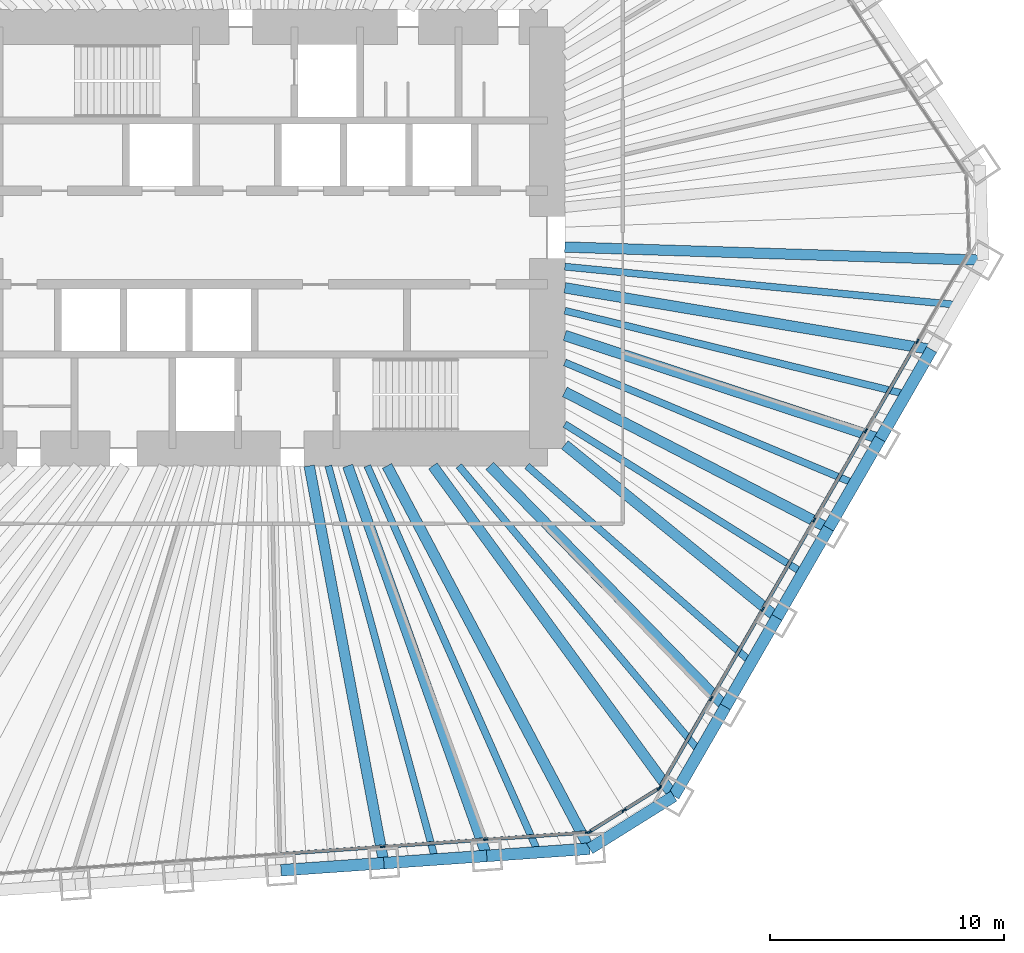
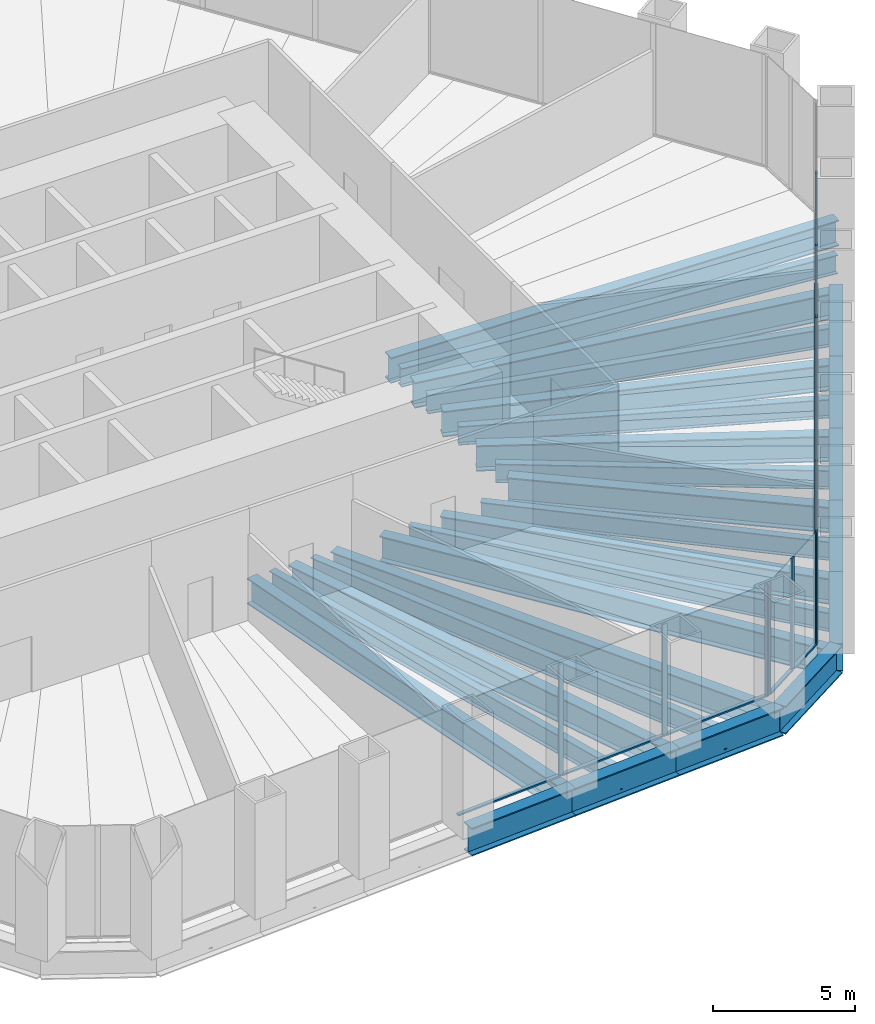
# One storey, part 4 of 13: 27 beams, 22 members, 3 elements without a shape of their own.
"""IFC4 building model written with IfcOpenShell, lengths in metres."""

from ifc_helpers import new_model, si_unit, direction, frame, origin, origin_2d, place, context, subcontext, project, spatial, rectangle, i_section, extrude, material, material_profile, profile_set, type_object, element, aggregate, save


model = new_model("IFC4")

# Units and contexts
model_context = context("Model", 3, precision=1e-05, world=origin(), true_north=direction((0.0, 1.0)))
body_context = subcontext(model_context, "Body", "Model", "MODEL_VIEW")
ifc_project = project(units=[si_unit("LENGTHUNIT", "METRE"), si_unit("AREAUNIT", "SQUARE_METRE"), si_unit("VOLUMEUNIT", "CUBIC_METRE"), si_unit("PLANEANGLEUNIT", "RADIAN"), si_unit("MASSUNIT", "GRAM", prefix="KILO")], contexts=[model_context])

# Site, building, storey
site_placement = place(None, origin())
site = spatial("IfcSite", under=ifc_project, at=site_placement, CompositionType="ELEMENT")
building_placement = place(site_placement, origin())
building = spatial("IfcBuilding", under=site, at=building_placement, Name="Qingtian Harvest Tower", CompositionType="ELEMENT")
storey_placement = place(building_placement, frame((0.0, 0.0, 32.0)))
storey = spatial("IfcBuildingStorey", under=building, at=storey_placement, Name="L06", CompositionType="ELEMENT", Elevation=32.0)

# Beams
ifc_material_1 = material(Name="Steel SM570MC", Category="steel")
ifc_material_profile_1 = material_profile(ifc_material_1, i_section(OverallWidth=0.449951171875, OverallDepth=1.10009765625, WebThickness=0.02197265625, FlangeThickness=0.044921875, at=origin_2d()), Name="H1100x450x22x45")
ifc_profile_set_1 = profile_set([ifc_material_profile_1], Name="Steel SM570MC")
beam_type_1 = type_object("IfcBeamType", Name="Corner floor beam FB8 H1100x450x22x45", PredefinedType="BEAM", material=ifc_profile_set_1)
beam_1_placement = place(storey_placement, frame((30.618408203125, -0.96728515625, -0.75), z_axis=(-0.999501426546, 0.031573696842, 0.0), x_axis=(-0.031573696842, -0.999501426546, 0.0)))
element("IfcBeam", 1, at=beam_1_placement, inside=storey, type_object=beam_type_1, Name="Floor beam FB8 SE0", PredefinedType="BEAM", context=body_context, shape_type="SweptSolid", body=[
    extrude(i_section(OverallWidth=0.449951171875, OverallDepth=1.10009765625, WebThickness=0.02197265625, FlangeThickness=0.044921875, at=origin_2d()), origin(), (0.0, 0.0, 1.0), 17.87744140625),
])
beam_2_placement = place(storey_placement, frame((17.404541015625, -23.854248046875, -0.75), z_axis=(-0.58941234871, 0.807832336062, 0.0), x_axis=(-0.807832336062, -0.58941234871, 0.0)))
element("IfcBeam", 2, at=beam_2_placement, inside=storey, type_object=beam_type_1, Name="Floor beam FB8 SE6", PredefinedType="BEAM", context=body_context, shape_type="SweptSolid", body=[
    extrude(i_section(OverallWidth=0.449951171875, OverallDepth=1.10009765625, WebThickness=0.02197265625, FlangeThickness=0.044921875, at=origin_2d()), origin(), (0.0, 0.0, 1.0), 17.45947265625),
])
beam_3_placement = place(storey_placement, frame((13.810546875, -26.10009765625, -0.75), z_axis=(-0.467705182679, 0.883884529843, 0.0), x_axis=(-0.883884529843, -0.467705182679, 0.0)))
element("IfcBeam", 3, at=beam_3_placement, inside=storey, type_object=beam_type_1, Name="Floor beam FB8 S0", PredefinedType="BEAM", context=body_context, shape_type="SweptSolid", body=[
    extrude(i_section(OverallWidth=0.449951171875, OverallDepth=1.10009765625, WebThickness=0.02197265625, FlangeThickness=0.044921875, at=origin_2d()), origin(), (0.0, 0.0, 1.0), 18.498046875),
])
ifc_material_2 = material(Name="Steel SM570MC", Category="steel")
ifc_material_profile_2 = material_profile(ifc_material_2, i_section(OverallWidth=0.449951171875, OverallDepth=1.10009765625, WebThickness=0.02197265625, FlangeThickness=0.044921875, at=origin_2d()), Name="H1100x450x22x45")
ifc_profile_set_2 = profile_set([ifc_material_profile_2], Name="Steel SM570MC")
beam_type_2 = type_object("IfcBeamType", Name="Floor beam FB1 H1100x450x22x45", PredefinedType="BEAM", material=ifc_profile_set_2)
beam_4_placement = place(storey_placement, frame((28.416015625, -4.78173828125, -0.75), z_axis=(-0.986135195489, 0.16594389479, 0.0), x_axis=(-0.16594389479, -0.986135195489, 0.0)))
element("IfcBeam", 4, at=beam_4_placement, inside=storey, type_object=beam_type_2, Name="Floor beam FB1 SE1", PredefinedType="BEAM", context=body_context, shape_type="SweptSolid", body=[
    extrude(i_section(OverallWidth=0.449951171875, OverallDepth=1.10009765625, WebThickness=0.02197265625, FlangeThickness=0.044921875, at=origin_2d()), origin(), (0.0, 0.0, 1.0), 15.88623046875),
])
beam_5_placement = place(storey_placement, frame((26.2138671875, -8.596435546875, -0.75), z_axis=(-0.950210724421, 0.311608053803, 0.0), x_axis=(-0.311608053803, -0.950210724421, 0.0)))
element("IfcBeam", 5, at=beam_5_placement, inside=storey, type_object=beam_type_2, Name="Floor beam FB1 SE2", PredefinedType="BEAM", context=body_context, shape_type="SweptSolid", body=[
    extrude(i_section(OverallWidth=0.449951171875, OverallDepth=1.10009765625, WebThickness=0.02197265625, FlangeThickness=0.044921875, at=origin_2d()), origin(), (0.0, 0.0, 1.0), 14.16943359375),
])
beam_6_placement = place(storey_placement, frame((24.011474609375, -12.410888671875, -0.75), z_axis=(-0.888349581519, 0.45916774823, 0.0), x_axis=(-0.45916774823, -0.888349581519, 0.0)))
element("IfcBeam", 6, at=beam_6_placement, inside=storey, type_object=beam_type_2, Name="Floor beam FB1 SE3", PredefinedType="BEAM", context=body_context, shape_type="SweptSolid", body=[
    extrude(i_section(OverallWidth=0.449951171875, OverallDepth=1.10009765625, WebThickness=0.02197265625, FlangeThickness=0.044921875, at=origin_2d()), origin(), (0.0, 0.0, 1.0), 12.6767578125),
])
beam_7_placement = place(storey_placement, frame((21.809326171875, -16.225341796875, -0.75), z_axis=(-0.775504415669, 0.631342142802, 0.0), x_axis=(-0.631342142802, -0.775504415669, 0.0)))
element("IfcBeam", 7, at=beam_7_placement, inside=storey, type_object=beam_type_2, Name="Floor beam FB1 SE4", PredefinedType="BEAM", context=body_context, shape_type="SweptSolid", body=[
    extrude(i_section(OverallWidth=0.449951171875, OverallDepth=1.10009765625, WebThickness=0.02197265625, FlangeThickness=0.044921875, at=origin_2d()), origin(), (0.0, 0.0, 1.0), 11.681884765625),
])
beam_8_placement = place(storey_placement, frame((19.60693359375, -20.039794921875, -0.75), z_axis=(-0.699348221539, 0.714781130858, 0.0), x_axis=(-0.714781130858, -0.699348221539, 0.0)))
element("IfcBeam", 8, at=beam_8_placement, inside=storey, type_object=beam_type_2, Name="Floor beam FB1 SE5", PredefinedType="BEAM", context=body_context, shape_type="SweptSolid", body=[
    extrude(i_section(OverallWidth=0.449951171875, OverallDepth=1.10009765625, WebThickness=0.02197265625, FlangeThickness=0.044921875, at=origin_2d()), origin(), (0.0, 0.0, 1.0), 14.395751953125),
])
beam_9_placement = place(storey_placement, frame((9.41650390625, -26.407470703125, -0.75), z_axis=(-0.33586498155, 0.941910141239, 0.0), x_axis=(-0.941910141239, -0.33586498155, 0.0)))
element("IfcBeam", 9, at=beam_9_placement, inside=storey, type_object=beam_type_2, Name="Floor beam FB1 S1", PredefinedType="BEAM", context=body_context, shape_type="SweptSolid", body=[
    extrude(i_section(OverallWidth=0.449951171875, OverallDepth=1.10009765625, WebThickness=0.02197265625, FlangeThickness=0.044921875, at=origin_2d()), origin(), (0.0, 0.0, 1.0), 17.684814453125),
])
beam_10_placement = place(storey_placement, frame((5.022705078125, -26.714599609375, -0.75), z_axis=(-0.184782942099, 0.98277935688, 0.0), x_axis=(-0.98277935688, -0.184782942099, 0.0)))
element("IfcBeam", 10, at=beam_10_placement, inside=storey, type_object=beam_type_2, Name="Floor beam FB1 S2", PredefinedType="BEAM", context=body_context, shape_type="SweptSolid", body=[
    extrude(i_section(OverallWidth=0.449951171875, OverallDepth=1.10009765625, WebThickness=0.02197265625, FlangeThickness=0.044921875, at=origin_2d()), origin(), (0.0, 0.0, 1.0), 17.261962890625),
])
ifc_material_3 = material(Name="Steel SN490B", Category="steel")
ifc_material_profile_3 = material_profile(ifc_material_3, i_section(OverallWidth=0.300048828125, OverallDepth=0.800048828125, WebThickness=0.013916015625, FlangeThickness=0.02587890625, at=origin_2d()), Name="H800x300x14x26")
ifc_profile_set_3 = profile_set([ifc_material_profile_3], Name="Steel SN490B")
beam_type_3 = type_object("IfcBeamType", Name="Floor joist J1 H800x300x14x26", PredefinedType="JOIST", material=ifc_profile_set_3)
beam_11_placement = place(storey_placement, frame((29.517333984375, -2.87451171875, -0.60009765625), z_axis=(-0.995291970786, 0.096922097011, 0.0), x_axis=(-0.096922097011, -0.995291970786, 0.0)))
element("IfcBeam", 11, at=beam_11_placement, inside=storey, type_object=beam_type_3, Name="Floor joist J1 SE0", PredefinedType="JOIST", context=body_context, shape_type="SweptSolid", body=[
    extrude(i_section(OverallWidth=0.300048828125, OverallDepth=0.800048828125, WebThickness=0.013916015625, FlangeThickness=0.02587890625, at=origin_2d()), origin(), (0.0, 0.0, 1.0), 16.8466796875),
])
beam_12_placement = place(storey_placement, frame((27.31494140625, -6.68896484375, -0.60009765625), z_axis=(-0.971301533706, 0.237851488583, 0.0), x_axis=(-0.237851488583, -0.971301533706, 0.0)))
element("IfcBeam", 12, at=beam_12_placement, inside=storey, type_object=beam_type_3, Name="Floor joist J1 SE1", PredefinedType="JOIST", context=body_context, shape_type="SweptSolid", body=[
    extrude(i_section(OverallWidth=0.300048828125, OverallDepth=0.800048828125, WebThickness=0.013916015625, FlangeThickness=0.02587890625, at=origin_2d()), origin(), (0.0, 0.0, 1.0), 14.995361328125),
])
beam_13_placement = place(storey_placement, frame((25.112548828125, -10.503662109375, -0.60009765625), z_axis=(-0.922550516103, 0.385876334125, 0.0), x_axis=(-0.385876334125, -0.922550516103, 0.0)))
element("IfcBeam", 13, at=beam_13_placement, inside=storey, type_object=beam_type_3, Name="Floor joist J1 SE2", PredefinedType="JOIST", context=body_context, shape_type="SweptSolid", body=[
    extrude(i_section(OverallWidth=0.300048828125, OverallDepth=0.800048828125, WebThickness=0.013916015625, FlangeThickness=0.02587890625, at=origin_2d()), origin(), (0.0, 0.0, 1.0), 13.400390625),
])
beam_14_placement = place(storey_placement, frame((22.910400390625, -14.318115234375, -0.60009765625), z_axis=(-0.848013185461, 0.52997512893, 0.0), x_axis=(-0.52997512893, -0.848013185461, 0.0)))
element("IfcBeam", 14, at=beam_14_placement, inside=storey, type_object=beam_type_3, Name="Floor joist J1 SE3", PredefinedType="JOIST", context=body_context, shape_type="SweptSolid", body=[
    extrude(i_section(OverallWidth=0.300048828125, OverallDepth=0.800048828125, WebThickness=0.013916015625, FlangeThickness=0.02587890625, at=origin_2d()), origin(), (0.0, 0.0, 1.0), 11.9814453125),
])
beam_15_placement = place(storey_placement, frame((20.7080078125, -18.132568359375, -0.60009765625), z_axis=(-0.75234369212, 0.658770801514, 0.0), x_axis=(-0.658770801514, -0.75234369212, 0.0)))
element("IfcBeam", 15, at=beam_15_placement, inside=storey, type_object=beam_type_3, Name="Floor joist J1 SE4", PredefinedType="JOIST", context=body_context, shape_type="SweptSolid", body=[
    extrude(i_section(OverallWidth=0.300048828125, OverallDepth=0.800048828125, WebThickness=0.013916015625, FlangeThickness=0.02587890625, at=origin_2d()), origin(), (0.0, 0.0, 1.0), 12.724609375),
])
beam_16_placement = place(storey_placement, frame((18.505859375, -21.947021484375, -0.60009765625), z_axis=(-0.644630398038, 0.76449437534, 0.0), x_axis=(-0.76449437534, -0.644630398038, 0.0)))
element("IfcBeam", 16, at=beam_16_placement, inside=storey, type_object=beam_type_3, Name="Floor joist J1 SE5", PredefinedType="JOIST", context=body_context, shape_type="SweptSolid", body=[
    extrude(i_section(OverallWidth=0.300048828125, OverallDepth=0.800048828125, WebThickness=0.013916015625, FlangeThickness=0.02587890625, at=origin_2d()), origin(), (0.0, 0.0, 1.0), 15.954345703125),
])
beam_17_placement = place(storey_placement, frame((11.613525390625, -26.25390625, -0.60009765625), z_axis=(-0.404539958959, 0.914520323233, 0.0), x_axis=(-0.914520323233, -0.404539958959, 0.0)))
element("IfcBeam", 17, at=beam_17_placement, inside=storey, type_object=beam_type_3, Name="Floor joist J1 S0", PredefinedType="JOIST", context=body_context, shape_type="SweptSolid", body=[
    extrude(i_section(OverallWidth=0.300048828125, OverallDepth=0.800048828125, WebThickness=0.013916015625, FlangeThickness=0.02587890625, at=origin_2d()), origin(), (0.0, 0.0, 1.0), 18.046630859375),
])
beam_18_placement = place(storey_placement, frame((7.2197265625, -26.56103515625, -0.60009765625), z_axis=(-0.262302659247, 0.964985655309, 0.0), x_axis=(-0.964985655309, -0.262302659247, 0.0)))
element("IfcBeam", 18, at=beam_18_placement, inside=storey, type_object=beam_type_3, Name="Floor joist J1 S1", PredefinedType="JOIST", context=body_context, shape_type="SweptSolid", body=[
    extrude(i_section(OverallWidth=0.300048828125, OverallDepth=0.800048828125, WebThickness=0.013916015625, FlangeThickness=0.02587890625, at=origin_2d()), origin(), (0.0, 0.0, 1.0), 17.421142578125),
])

# Curtain wall, members
ifc_material_4 = material(Name="Bronze-anodised aluminium curtain wall", Category="aluminium")
curtain_wall_type = type_object("IfcCurtainWallType", Name="Curtain wall CW2 farm reception", PredefinedType="USERDEFINED", material=ifc_material_4)
curtain_wall_1_placement = place(storey_placement, origin())
curtain_wall_1 = element("IfcCurtainWall", 19, at=curtain_wall_1_placement, inside=storey, type_object=curtain_wall_type, Name="Curtain wall CW2 L06 SE0-5", ObjectType="RECESSED CURTAIN WALL", PredefinedType="USERDEFINED")
ifc_material_5 = material(Name="Bronze-anodised aluminium mullion", Category="aluminium")
ifc_material_profile_4 = material_profile(ifc_material_5, rectangle(XDim=0.06494140625, YDim=0.199951171875, at=origin_2d()), Name="AL 65x200")
ifc_profile_set_4 = profile_set([ifc_material_profile_4], Name="Bronze-anodised aluminium mullion")
member_type_1 = type_object("IfcMemberType", Name="Mullion CWM 65x200", PredefinedType="MULLION", material=ifc_profile_set_4)
member_1_placement = place(storey_placement, frame((27.809814453125, -4.431884765625, 0.0), z_axis=(0.0, 0.0, 1.0), x_axis=(0.866025403784, -0.5, 0.0)))
member_1 = element("IfcMember", 20, at=member_1_placement, type_object=member_type_1, Name="CW2 mullion 2", PredefinedType="MULLION", context=body_context, shape_type="SweptSolid", body=[
    extrude(rectangle(XDim=0.06494140625, YDim=0.199951171875, at=origin_2d()), origin(), (0.0, 0.0, 1.0), 4.800048828125),
])
member_2_placement = place(storey_placement, frame((25.607666015625, -8.246337890625, 0.0), z_axis=(0.0, 0.0, 1.0), x_axis=(0.866025403784, -0.5, 0.0)))
member_2 = element("IfcMember", 21, at=member_2_placement, type_object=member_type_1, Name="CW2 mullion 3", PredefinedType="MULLION", context=body_context, shape_type="SweptSolid", body=[
    extrude(rectangle(XDim=0.06494140625, YDim=0.199951171875, at=origin_2d()), origin(), (0.0, 0.0, 1.0), 4.800048828125),
])
member_3_placement = place(storey_placement, frame((23.4052734375, -12.060791015625, 0.0), z_axis=(0.0, 0.0, 1.0), x_axis=(0.866025403784, -0.5, 0.0)))
member_3 = element("IfcMember", 22, at=member_3_placement, type_object=member_type_1, Name="CW2 mullion 4", PredefinedType="MULLION", context=body_context, shape_type="SweptSolid", body=[
    extrude(rectangle(XDim=0.06494140625, YDim=0.199951171875, at=origin_2d()), origin(), (0.0, 0.0, 1.0), 4.800048828125),
])
member_4_placement = place(storey_placement, frame((21.202880859375, -15.875244140625, 0.0), z_axis=(0.0, 0.0, 1.0), x_axis=(0.866025403784, -0.5, 0.0)))
member_4 = element("IfcMember", 23, at=member_4_placement, type_object=member_type_1, Name="CW2 mullion 5", PredefinedType="MULLION", context=body_context, shape_type="SweptSolid", body=[
    extrude(rectangle(XDim=0.06494140625, YDim=0.199951171875, at=origin_2d()), origin(), (0.0, 0.0, 1.0), 4.800048828125),
])
member_5_placement = place(storey_placement, frame((19.000732421875, -19.68994140625, 0.0), z_axis=(0.0, 0.0, 1.0), x_axis=(0.866025403784, -0.5, 0.0)))
member_5 = element("IfcMember", 24, at=member_5_placement, type_object=member_type_1, Name="CW2 mullion 6", PredefinedType="MULLION", context=body_context, shape_type="SweptSolid", body=[
    extrude(rectangle(XDim=0.06494140625, YDim=0.199951171875, at=origin_2d()), origin(), (0.0, 0.0, 1.0), 4.800048828125),
])
member_6_placement = place(storey_placement, frame((16.814697265625, -23.47607421875, 0.0), z_axis=(0.0, 0.0, 1.0), x_axis=(0.866025403784, -0.5, 0.0)))
member_6 = element("IfcMember", 25, at=member_6_placement, type_object=member_type_1, Name="CW2 mullion 7", PredefinedType="MULLION", context=body_context, shape_type="SweptSolid", body=[
    extrude(rectangle(XDim=0.06494140625, YDim=0.199951171875, at=origin_2d()), origin(), (0.0, 0.0, 1.0), 4.800048828125),
])

curtain_wall_2_placement = place(storey_placement, origin())
curtain_wall_2 = element("IfcCurtainWall", 26, at=curtain_wall_2_placement, inside=storey, type_object=curtain_wall_type, Name="Curtain wall CW2 L06 SEC", ObjectType="RECESSED CURTAIN WALL", PredefinedType="USERDEFINED")
member_7_placement = place(storey_placement, frame((16.770751953125, -23.521484375, 0.0), z_axis=(0.0, 0.0, 1.0), x_axis=(0.529919264233, -0.848048096156, 0.0)))
member_7 = element("IfcMember", 27, at=member_7_placement, type_object=member_type_1, Name="CW2 mullion 1", PredefinedType="MULLION", context=body_context, shape_type="SweptSolid", body=[
    extrude(rectangle(XDim=0.06494140625, YDim=0.199951171875, at=origin_2d()), origin(), (0.0, 0.0, 1.0), 4.800048828125),
])
member_8_placement = place(storey_placement, frame((15.280029296875, -24.453125, 0.0), z_axis=(0.0, 0.0, 1.0), x_axis=(0.529919264233, -0.848048096156, 0.0)))
member_8 = element("IfcMember", 28, at=member_8_placement, type_object=member_type_1, Name="CW2 mullion 2", PredefinedType="MULLION", context=body_context, shape_type="SweptSolid", body=[
    extrude(rectangle(XDim=0.06494140625, YDim=0.199951171875, at=origin_2d()), origin(), (0.0, 0.0, 1.0), 4.800048828125),
])
member_9_placement = place(storey_placement, frame((13.789306640625, -25.384765625, 0.0), z_axis=(0.0, 0.0, 1.0), x_axis=(0.529919264233, -0.848048096156, 0.0)))
member_9 = element("IfcMember", 29, at=member_9_placement, type_object=member_type_1, Name="CW2 mullion 3", PredefinedType="MULLION", context=body_context, shape_type="SweptSolid", body=[
    extrude(rectangle(XDim=0.06494140625, YDim=0.199951171875, at=origin_2d()), origin(), (0.0, 0.0, 1.0), 4.800048828125),
])

curtain_wall_3_placement = place(storey_placement, origin())
curtain_wall_3 = element("IfcCurtainWall", 30, at=curtain_wall_3_placement, inside=storey, type_object=curtain_wall_type, Name="Curtain wall CW2 L06 S0-5", ObjectType="RECESSED CURTAIN WALL", PredefinedType="USERDEFINED")
member_10_placement = place(storey_placement, frame((13.729248046875, -25.404296875, 0.0), z_axis=(0.0, 0.0, 1.0), x_axis=(0.069756473744, -0.99756405026, 0.0)))
member_10 = element("IfcMember", 31, at=member_10_placement, type_object=member_type_1, Name="CW2 mullion 1", PredefinedType="MULLION", context=body_context, shape_type="SweptSolid", body=[
    extrude(rectangle(XDim=0.06494140625, YDim=0.199951171875, at=origin_2d()), origin(), (0.0, 0.0, 1.0), 4.800048828125),
])
member_11_placement = place(storey_placement, frame((9.36767578125, -25.709228515625, 0.0), z_axis=(0.0, 0.0, 1.0), x_axis=(0.069756473744, -0.99756405026, 0.0)))
member_11 = element("IfcMember", 32, at=member_11_placement, type_object=member_type_1, Name="CW2 mullion 2", PredefinedType="MULLION", context=body_context, shape_type="SweptSolid", body=[
    extrude(rectangle(XDim=0.06494140625, YDim=0.199951171875, at=origin_2d()), origin(), (0.0, 0.0, 1.0), 4.800048828125),
])
member_12_placement = place(storey_placement, frame((4.973876953125, -26.016357421875, 0.0), z_axis=(0.0, 0.0, 1.0), x_axis=(0.069756473744, -0.99756405026, 0.0)))
member_12 = element("IfcMember", 33, at=member_12_placement, type_object=member_type_1, Name="CW2 mullion 3", PredefinedType="MULLION", context=body_context, shape_type="SweptSolid", body=[
    extrude(rectangle(XDim=0.06494140625, YDim=0.199951171875, at=origin_2d()), origin(), (0.0, 0.0, 1.0), 4.800048828125),
])

# Beams
ifc_material_6 = material(Name="Steel SM570MC", Category="steel")
ifc_material_profile_5 = material_profile(ifc_material_6, i_section(OverallWidth=0.5, OverallDepth=1.199951171875, WebThickness=0.02490234375, FlangeThickness=0.050048828125, at=origin_2d()), Name="H1200x500x25x50")
ifc_profile_set_5 = profile_set([ifc_material_profile_5], Name="Steel SM570MC")
beam_type_4 = type_object("IfcBeamType", Name="Spandrel beam SB1 H1200x500x25x50", PredefinedType="SPANDREL", material=ifc_profile_set_5)
beam_19_placement = place(storey_placement, frame((28.416015625, -4.78173828125, -0.60009765625), z_axis=(-0.499954356739, -0.86605175433, 0.0), x_axis=(0.86605175433, -0.499954356739, 0.0)))
element("IfcBeam", 34, at=beam_19_placement, inside=storey, type_object=beam_type_4, Name="Spandrel SB1 SE1", PredefinedType="SPANDREL", context=body_context, shape_type="SweptSolid", body=[
    extrude(i_section(OverallWidth=0.5, OverallDepth=1.199951171875, WebThickness=0.02490234375, FlangeThickness=0.050048828125, at=origin_2d()), origin(), (0.0, 0.0, 1.0), 4.40478515625),
])
for number, where, z_axis, x_axis, name in (
    (35, (26.2138671875, -8.596435546875, -0.60009765625), (-0.50001992892, -0.866013897511, 0.0), (0.866013897511, -0.50001992892, 0.0), "Spandrel SB1 SE2"),
    (36, (24.011474609375, -12.410888671875, -0.60009765625), (-0.499978356969, -0.866037899034, 0.0), (0.866037899034, -0.499978356969, 0.0), "Spandrel SB1 SE3"),
    (37, (21.809326171875, -16.225341796875, -0.60009765625), (-0.50001992892, -0.866013897511, 0.0), (0.866013897511, -0.50001992892, 0.0), "Spandrel SB1 SE4"),
    (38, (19.60693359375, -20.039794921875, -0.60009765625), (-0.50001992892, -0.866013897511, 0.0), (0.866013897511, -0.50001992892, 0.0), "Spandrel SB1 SE5"),
):
    element("IfcBeam", number, at=place(storey_placement, frame(where, z_axis=z_axis, x_axis=x_axis)), inside=storey, type_object=beam_type_4, Name=name, PredefinedType="SPANDREL", context=body_context, shape_type="SweptSolid", body=[
        extrude(i_section(OverallWidth=0.5, OverallDepth=1.199951171875, WebThickness=0.02490234375, FlangeThickness=0.050048828125, at=origin_2d()), origin(), (0.0, 0.0, 1.0), 4.404541015625),
    ])
beam_20_placement = place(storey_placement, frame((17.404541015625, -23.854248046875, -0.60009765625), z_axis=(-0.848040374245, -0.529931621675, 0.0), x_axis=(0.529931621675, -0.848040374245, 0.0)))
element("IfcBeam", 39, at=beam_20_placement, inside=storey, type_object=beam_type_4, Name="Spandrel SB1 SEC", PredefinedType="SPANDREL", context=body_context, shape_type="SweptSolid", body=[
    extrude(i_section(OverallWidth=0.5, OverallDepth=1.199951171875, WebThickness=0.02490234375, FlangeThickness=0.050048828125, at=origin_2d()), origin(), (0.0, 0.0, 1.0), 4.238037109375),
])
beam_21_placement = place(storey_placement, frame((13.810546875, -26.10009765625, -0.60009765625), z_axis=(-0.997562286406, -0.069781693443, 0.0), x_axis=(0.069781693443, -0.997562286406, 0.0)))
element("IfcBeam", 40, at=beam_21_placement, inside=storey, type_object=beam_type_4, Name="Spandrel SB1 S0", PredefinedType="SPANDREL", context=body_context, shape_type="SweptSolid", body=[
    extrude(i_section(OverallWidth=0.5, OverallDepth=1.199951171875, WebThickness=0.02490234375, FlangeThickness=0.050048828125, at=origin_2d()), origin(), (0.0, 0.0, 1.0), 4.40478515625),
])
for number, where, z_axis, x_axis, name in (
    (41, (9.41650390625, -26.407470703125, -0.60009765625), (-0.997565873714, -0.069730392239, 0.0), (0.069730392239, -0.997565873714, 0.0), "Spandrel SB1 S1"),
    (42, (5.022705078125, -26.714599609375, -0.60009765625), (-0.997562016486, -0.069785551967, 0.0), (0.069785551967, -0.997562016486, 0.0), "Spandrel SB1 S2"),
):
    element("IfcBeam", number, at=place(storey_placement, frame(where, z_axis=z_axis, x_axis=x_axis)), inside=storey, type_object=beam_type_4, Name=name, PredefinedType="SPANDREL", context=body_context, shape_type="SweptSolid", body=[
        extrude(i_section(OverallWidth=0.5, OverallDepth=1.199951171875, WebThickness=0.02490234375, FlangeThickness=0.050048828125, at=origin_2d()), origin(), (0.0, 0.0, 1.0), 4.404541015625),
    ])

# Member
ifc_material_7 = material(Name="Bronze-anodised aluminium transom", Category="aluminium")
ifc_material_profile_6 = material_profile(ifc_material_7, rectangle(XDim=0.14990234375, YDim=0.06494140625, at=origin_2d()), Name="AL 65x150")
ifc_profile_set_6 = profile_set([ifc_material_profile_6], Name="Bronze-anodised aluminium transom")
member_type_2 = type_object("IfcMemberType", Name="Transom CWT 65x150", PredefinedType="USERDEFINED", material=ifc_profile_set_6)
member_13_placement = place(storey_placement, frame((27.793701171875, -4.4599609375, 0.032470703125), z_axis=(-0.500011390128, -0.866018827591, 0.0), x_axis=(0.866018827591, -0.500011390128, 0.0)))
member_13 = element("IfcMember", 43, at=member_13_placement, type_object=member_type_2, Name="CW2 transom 2.1", ObjectType="TRANSOM", PredefinedType="USERDEFINED", context=body_context, shape_type="SweptSolid", body=[
    extrude(rectangle(XDim=0.14990234375, YDim=0.06494140625, at=origin_2d()), origin(), (0.0, 0.0, 1.0), 4.33984375),
])

member_14_placement = place(storey_placement, frame((25.59130859375, -8.2744140625, 0.032470703125), z_axis=(-0.499969196308, -0.866043187574, 0.0), x_axis=(0.866043187574, -0.499969196308, 0.0)))
member_14 = element("IfcMember", 44, at=member_14_placement, type_object=member_type_2, Name="CW2 transom 3.1", ObjectType="TRANSOM", PredefinedType="USERDEFINED", context=body_context, shape_type="SweptSolid", body=[
    extrude(rectangle(XDim=0.14990234375, YDim=0.06494140625, at=origin_2d()), origin(), (0.0, 0.0, 1.0), 4.339599609375),
])

member_15_placement = place(storey_placement, frame((23.38916015625, -12.0888671875, 0.032470703125), z_axis=(-0.500011390128, -0.866018827591, 0.0), x_axis=(0.866018827591, -0.500011390128, 0.0)))
member_15 = element("IfcMember", 45, at=member_15_placement, type_object=member_type_2, Name="CW2 transom 4.1", ObjectType="TRANSOM", PredefinedType="USERDEFINED", context=body_context, shape_type="SweptSolid", body=[
    extrude(rectangle(XDim=0.14990234375, YDim=0.06494140625, at=origin_2d()), origin(), (0.0, 0.0, 1.0), 4.33984375),
])

member_16_placement = place(storey_placement, frame((21.186767578125, -15.903564453125, 0.032470703125), z_axis=(-0.500035751442, -0.866004761696, 0.0), x_axis=(0.866004761696, -0.500035751442, 0.0)))
member_16 = element("IfcMember", 46, at=member_16_placement, type_object=member_type_2, Name="CW2 transom 5.1", ObjectType="TRANSOM", PredefinedType="USERDEFINED", context=body_context, shape_type="SweptSolid", body=[
    extrude(rectangle(XDim=0.14990234375, YDim=0.06494140625, at=origin_2d()), origin(), (0.0, 0.0, 1.0), 4.339599609375),
])

member_17_placement = place(storey_placement, frame((18.984375, -19.718017578125, 0.032470703125), z_axis=(-0.500010313095, -0.866019449435, 0.0), x_axis=(0.866019449435, -0.500010313095, 0.0)))
member_17 = element("IfcMember", 47, at=member_17_placement, type_object=member_type_2, Name="CW2 transom 6.1", ObjectType="TRANSOM", PredefinedType="USERDEFINED", context=body_context, shape_type="SweptSolid", body=[
    extrude(rectangle(XDim=0.14990234375, YDim=0.06494140625, at=origin_2d()), origin(), (0.0, 0.0, 1.0), 4.30712890625),
])

aggregate(curtain_wall_1, [member_1, member_2, member_3, member_4, member_5, member_6, member_13, member_14, member_15, member_16, member_17])

member_18_placement = place(storey_placement, frame((16.7431640625, -23.538818359375, 0.032470703125), z_axis=(-0.848063119425, -0.529895221219, 0.0), x_axis=(0.529895221219, -0.848063119425, 0.0)))
member_18 = element("IfcMember", 48, at=member_18_placement, type_object=member_type_2, Name="CW2 transom 1.1", ObjectType="TRANSOM", PredefinedType="USERDEFINED", context=body_context, shape_type="SweptSolid", body=[
    extrude(rectangle(XDim=0.14990234375, YDim=0.06494140625, at=origin_2d()), origin(), (0.0, 0.0, 1.0), 1.692626953125),
])

member_19_placement = place(storey_placement, frame((15.25244140625, -24.470458984375, 0.032470703125), z_axis=(-0.848103609743, -0.529830413568, 0.0), x_axis=(0.529830413568, -0.848103609743, 0.0)))
member_19 = element("IfcMember", 49, at=member_19_placement, type_object=member_type_2, Name="CW2 transom 2.1", ObjectType="TRANSOM", PredefinedType="USERDEFINED", context=body_context, shape_type="SweptSolid", body=[
    extrude(rectangle(XDim=0.14990234375, YDim=0.06494140625, at=origin_2d()), origin(), (0.0, 0.0, 1.0), 1.69287109375),
])

aggregate(curtain_wall_2, [member_7, member_8, member_9, member_18, member_19])

member_20_placement = place(storey_placement, frame((13.69677734375, -25.406494140625, 0.032470703125), z_axis=(-0.997566581753, -0.069720262262, 0.0), x_axis=(0.069720262262, -0.997566581753, 0.0)))
member_20 = element("IfcMember", 50, at=member_20_placement, type_object=member_type_2, Name="CW2 transom 1.1", ObjectType="TRANSOM", PredefinedType="USERDEFINED", context=body_context, shape_type="SweptSolid", body=[
    extrude(rectangle(XDim=0.14990234375, YDim=0.06494140625, at=origin_2d()), origin(), (0.0, 0.0, 1.0), 4.30712890625),
])

member_21_placement = place(storey_placement, frame((9.33544921875, -25.71142578125, 0.032470703125), z_axis=(-0.997563824095, -0.069759707979, 0.0), x_axis=(0.069759707979, -0.997563824095, 0.0)))
member_21 = element("IfcMember", 51, at=member_21_placement, type_object=member_type_2, Name="CW2 transom 2.1", ObjectType="TRANSOM", PredefinedType="USERDEFINED", context=body_context, shape_type="SweptSolid", body=[
    extrude(rectangle(XDim=0.14990234375, YDim=0.06494140625, at=origin_2d()), origin(), (0.0, 0.0, 1.0), 4.339599609375),
])

member_22_placement = place(storey_placement, frame((4.94140625, -26.018798828125, 0.032470703125), z_axis=(-0.997567737508, -0.069703723594, 0.0), x_axis=(0.069703723594, -0.997567737508, 0.0)))
member_22 = element("IfcMember", 52, at=member_22_placement, type_object=member_type_2, Name="CW2 transom 3.1", ObjectType="TRANSOM", PredefinedType="USERDEFINED", context=body_context, shape_type="SweptSolid", body=[
    extrude(rectangle(XDim=0.14990234375, YDim=0.06494140625, at=origin_2d()), origin(), (0.0, 0.0, 1.0), 4.339599609375),
])

aggregate(curtain_wall_3, [member_10, member_11, member_12, member_20, member_21, member_22])

save(model, "model.ifc")
